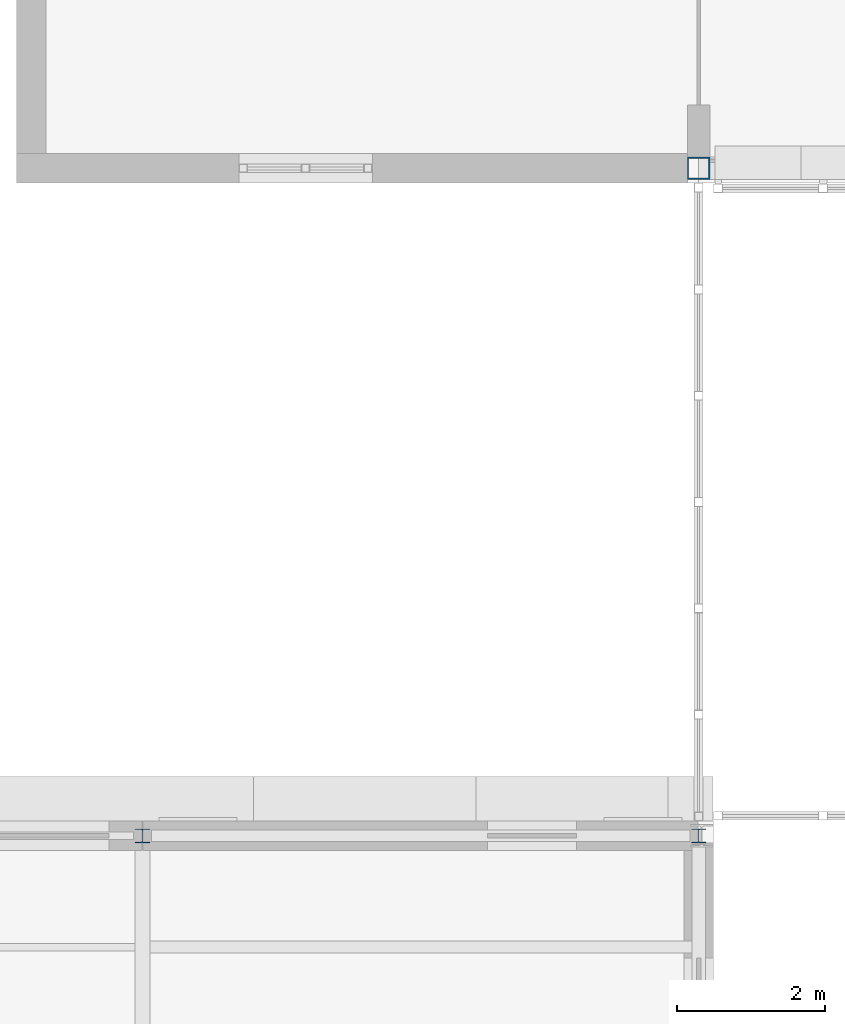
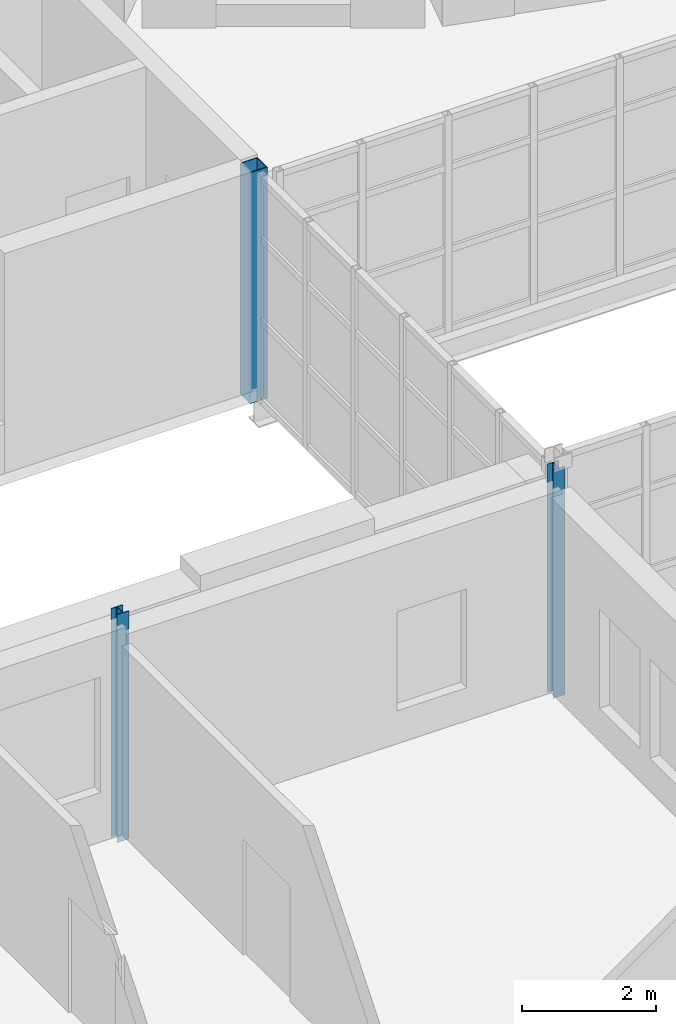
# One storey, part 14 of 154: 3 columns.
"""IFC4 building model written with IfcOpenShell, lengths in metres."""

import ifcopenshell
import ifcopenshell.guid

model = None  # the IFC model being written
_history = None  # IfcOwnerHistory: only IFC2X3 demands one
_inside = {}  # id of a spatial element -> (the spatial element, [elements in it])
_under = {}  # id of a project, library or spatial element -> (it, [spatial elements below it])
_declared = {}  # id of a project -> (the project, [libraries it declares])
_typed = {}  # id of a type object -> (the type object, [elements of that type])
_made_of = {}  # id of a material, layer set ... -> (it, [elements and type objects made of it])


def new_model(schema):
    """Start an empty IFC model of exactly this schema.

    Asked for "IFC4X3", IfcOpenShell would pick the latest addendum, in which some entities
    have other attributes; the version numbers below select the first issue.
    IFC2X3 requires an IfcOwnerHistory on every rooted entity: one is made here for all.
    """
    global model, _history
    if schema == "IFC4X3":
        model = ifcopenshell.file(schema_version=(4, 3, 0, 0))
    else:
        model = ifcopenshell.file(schema=schema)
    _inside.clear()
    _under.clear()
    _declared.clear()
    _typed.clear()
    _made_of.clear()
    _history = None
    if model.schema == "IFC2X3":
        org = make("IfcOrganization", Name="unknown")
        user = make(
            "IfcPersonAndOrganization",
            ThePerson=make("IfcPerson", FamilyName="unknown"),
            TheOrganization=org,
        )
        app = make(
            "IfcApplication",
            ApplicationDeveloper=org,
            Version="unknown",
            ApplicationFullName="unknown",
            ApplicationIdentifier="unknown",
        )
        _history = make(
            "IfcOwnerHistory",
            OwningUser=user,
            OwningApplication=app,
            ChangeAction="ADDED",
            CreationDate=0,
        )
    return model


def make(cls, **values):
    """One entity of the class cls with the attributes given. An attribute that is None is left unset."""
    return model.create_entity(
        cls, **{name: value for name, value in values.items() if value is not None}
    )


def rooted(cls, **values):
    """An entity with a GlobalId (a new one), such as an element, a storey or a relation."""
    return make(cls, GlobalId=ifcopenshell.guid.new(), OwnerHistory=_history, **values)


def si_unit(unit_type, name, prefix=None):
    """IfcSIUnit, for example si_unit("LENGTHUNIT", "METRE", prefix="MILLI")."""
    return make("IfcSIUnit", UnitType=unit_type, Prefix=prefix, Name=name)


def assignment(units):
    """IfcUnitAssignment: the units of a project."""
    return None if units is None else make("IfcUnitAssignment", Units=units)


def point(xyz):
    """IfcCartesianPoint."""
    return None if xyz is None else make("IfcCartesianPoint", Coordinates=xyz)


def direction(xyz):
    """IfcDirection."""
    return None if xyz is None else make("IfcDirection", DirectionRatios=xyz)


def frame(location, z_axis=None, x_axis=None):
    """IfcAxis2Placement3D, a coordinate frame: its origin and axes. An axis left out is left unset."""
    return make(
        "IfcAxis2Placement3D",
        Location=point(location),
        Axis=direction(z_axis),
        RefDirection=direction(x_axis),
    )


def frame_2d(location, x_axis=None):
    """IfcAxis2Placement2D, a coordinate frame in the plane: its origin and x axis."""
    return make(
        "IfcAxis2Placement2D", Location=point(location), RefDirection=direction(x_axis)
    )


def origin():
    """The frame at (0, 0, 0) with its axes left unset."""
    return frame((0.0, 0.0, 0.0))


def origin_2d():
    """The frame at (0, 0) in the plane with its x axis left unset."""
    return frame_2d((0.0, 0.0))


def place(relative_to, where):
    """IfcLocalPlacement: puts the frame where relative to a parent placement (None: the world)."""
    return make(
        "IfcLocalPlacement", PlacementRelTo=relative_to, RelativePlacement=where
    )


def context(
    kind, dimensions, precision=None, world=None, true_north=None, identifier=None
):
    """IfcGeometricRepresentationContext, for example the 3D "Model" context."""
    return make(
        "IfcGeometricRepresentationContext",
        ContextIdentifier=identifier,
        ContextType=kind,
        CoordinateSpaceDimension=dimensions,
        Precision=precision,
        WorldCoordinateSystem=world,
        TrueNorth=true_north,
    )


def subcontext(parent, identifier, kind, view, scale=None):
    """IfcGeometricRepresentationSubContext, for example "Body" below "Model"."""
    return make(
        "IfcGeometricRepresentationSubContext",
        ContextIdentifier=identifier,
        ContextType=kind,
        ParentContext=parent,
        TargetScale=scale,
        TargetView=view,
    )


def project(units=None, contexts=None):
    """IfcProject with its units and contexts."""
    return rooted(
        "IfcProject",
        Name="project",
        RepresentationContexts=contexts,
        UnitsInContext=assignment(units),
    )


def spatial(cls, under=None, at=None, **own):
    """A site, building, storey or space (cls), placed at a placement, below another one or the project."""
    s = rooted(cls, ObjectPlacement=at, **own)
    if under is not None:
        _under.setdefault(under.id(), (under, []))[1].append(s)
    return s


def profile(cls, at=None, kind="AREA", **sizes):
    """A parametric profile (cls). Its sizes go by their IFC names, for example OverallWidth=200.0."""
    return make(cls, ProfileType=kind, Position=at, **sizes)


def hollow_rectangle(**sizes):
    """IfcRectangleHollowProfileDef."""
    return profile("IfcRectangleHollowProfileDef", **sizes)


def i_section(**sizes):
    """IfcIShapeProfileDef."""
    return profile("IfcIShapeProfileDef", **sizes)


def extrude(swept, where, along, depth):
    """IfcExtrudedAreaSolid: the profile swept, set in the frame where, extruded along a direction by depth."""
    return make(
        "IfcExtrudedAreaSolid",
        SweptArea=swept,
        Position=where,
        ExtrudedDirection=direction(along),
        Depth=depth,
    )


def shape(context_of_items, identifier, shape_type, items):
    """IfcShapeRepresentation: the items that make up one representation, for example the "Body"."""
    return make(
        "IfcShapeRepresentation",
        ContextOfItems=context_of_items,
        RepresentationIdentifier=identifier,
        RepresentationType=shape_type,
        Items=items,
    )


def material(Name=None, Category=None):
    """IfcMaterial."""
    return make("IfcMaterial", Name=Name, Category=Category)


def material_profile(
    of_material, cross_section, Name=None, Category=None, Priority=None
):
    """IfcMaterialProfile: a cross section and its material."""
    return make(
        "IfcMaterialProfile",
        Name=Name,
        Material=of_material,
        Profile=cross_section,
        Priority=Priority,
        Category=Category,
    )


def profile_set(profiles, Name=None, composite=None):
    """IfcMaterialProfileSet."""
    return make(
        "IfcMaterialProfileSet",
        Name=Name,
        MaterialProfiles=profiles,
        CompositeProfile=composite,
    )


def made_of(thing, what):
    """Note that an element or type object is made of a material, layer set ...; save() writes the relation."""
    if what is not None:
        _made_of.setdefault(what.id(), (what, []))[1].append(thing)
    return thing


def type_object(cls, material=None, **own):
    """A type object (cls), such as IfcWallType, which elements share."""
    return made_of(rooted(cls, **own), material)


def element(
    cls,
    number,
    at=None,
    inside=None,
    cuts=None,
    type_object=None,
    material=None,
    context=None,
    identifier="Body",
    shape_type=None,
    held_by="IfcProductDefinitionShape",
    body=None,
    shapes=None,
    **own,
):
    """One element of the class cls, such as IfcWall. Its Tag is "e" and its number.

    at: its placement. inside: the storey or other place that contains it. cuts: it is an
    opening in that element (IfcRelVoidsElement). A single representation is given by context,
    identifier, shape_type and body (its items); several are given by shapes. held_by: the class
    of the entity that holds the representations. save() writes the other relations.
    """
    e = rooted(cls, Tag="e%d" % number, ObjectPlacement=at, **own)
    if body is not None:
        shapes = [shape(context, identifier, shape_type, body)]
    if shapes is not None:
        e.Representation = make(held_by, Representations=shapes)
    if inside is not None:
        _inside.setdefault(inside.id(), (inside, []))[1].append(e)
    if cuts is not None:
        rooted(
            "IfcRelVoidsElement", RelatingBuildingElement=cuts, RelatedOpeningElement=e
        )
    if type_object is not None:
        _typed.setdefault(type_object.id(), (type_object, []))[1].append(e)
    return made_of(e, material)


def aggregate(whole, parts):
    """IfcRelAggregates: a whole, such as a stair, and the parts it consists of."""
    return rooted("IfcRelAggregates", RelatingObject=whole, RelatedObjects=parts)


def save(model, path):
    """Write the relations noted so far, then the file.

    IfcRelAggregates (storeys below a building ...), IfcRelContainedInSpatialStructure (elements
    in a storey), IfcRelDefinesByType, IfcRelAssociatesMaterial and IfcRelDeclares: one each for
    every whole, place, type object, material and project.
    """
    for whole, parts in _under.values():
        aggregate(whole, parts)
    for where, things in _inside.values():
        rooted(
            "IfcRelContainedInSpatialStructure",
            RelatedElements=things,
            RelatingStructure=where,
        )
    for kind, things in _typed.values():
        rooted("IfcRelDefinesByType", RelatedObjects=things, RelatingType=kind)
    for what, things in _made_of.values():
        rooted("IfcRelAssociatesMaterial", RelatedObjects=things, RelatingMaterial=what)
    for by, libraries in _declared.values():
        rooted("IfcRelDeclares", RelatingContext=by, RelatedDefinitions=libraries)
    model.write(path)


model = new_model("IFC4")

# Units and contexts
model_context = context("Model", 3, precision=1e-05, world=origin(), true_north=direction((0.0, 1.0)))
body_context = subcontext(model_context, "Body", "Model", "MODEL_VIEW")
ifc_project = project(units=[si_unit("LENGTHUNIT", "METRE"), si_unit("AREAUNIT", "SQUARE_METRE"), si_unit("VOLUMEUNIT", "CUBIC_METRE"), si_unit("PLANEANGLEUNIT", "RADIAN"), si_unit("MASSUNIT", "GRAM", prefix="KILO")], contexts=[model_context])

# Site, building, storey
site_placement = place(None, origin())
site = spatial("IfcSite", under=ifc_project, at=site_placement, CompositionType="ELEMENT")
building_placement = place(site_placement, origin())
building = spatial("IfcBuilding", under=site, at=building_placement, Name="Golden Quay Civic Hall", CompositionType="ELEMENT")
storey_placement = place(building_placement, frame((0.0, 0.0, 14.39990234375)))
storey = spatial("IfcBuildingStorey", under=building, at=storey_placement, Name="L03", CompositionType="ELEMENT", Elevation=14.39990234375)

# Columns
ifc_material_1 = material(Name="Steel S355", Category="steel")
ifc_material_profile_1 = material_profile(ifc_material_1, i_section(OverallWidth=0.199951171875, OverallDepth=0.18994140625, WebThickness=0.006591796875, FlangeThickness=0.010009765625, FilletRadius=0.01806640625, at=origin_2d()), Name="HEA 200")
ifc_profile_set_1 = profile_set([ifc_material_profile_1], Name="Steel S355")
column_type_1 = type_object("IfcColumnType", Name="Steel column HEA 200", PredefinedType="COLUMN", material=ifc_profile_set_1)
for number, where, z_axis, x_axis, name in (
    (1, (64.5, 54.0, -0.199951171875), (0.0, 0.0, 1.0), (1.0, 0.0, 0.0), "Column 64.5/54 L03"),
    (2, (72.0, 54.0, -0.199951171875), (0.0, 0.0, 1.0), (1.0, 0.0, 0.0), "Column 72/54 L03"),
):
    element("IfcColumn", number, at=place(storey_placement, frame(where, z_axis=z_axis, x_axis=x_axis)), inside=storey, type_object=column_type_1, Name=name, PredefinedType="COLUMN", context=body_context, shape_type="SweptSolid", body=[
        extrude(i_section(OverallWidth=0.199951171875, OverallDepth=0.18994140625, WebThickness=0.006591796875, FlangeThickness=0.010009765625, FilletRadius=0.01806640625, at=origin_2d()), origin(), (0.0, 0.0, 1.0), 4.150146484375),
    ])
ifc_material_2 = material(Name="Steel S355", Category="steel")
ifc_material_profile_2 = material_profile(ifc_material_2, hollow_rectangle(XDim=0.300048828125, YDim=0.300048828125, WallThickness=0.01611328125, at=origin_2d()), Name="SHS 300x300x16")
ifc_profile_set_2 = profile_set([ifc_material_profile_2], Name="Steel S355")
column_type_2 = type_object("IfcColumnType", Name="Steel column SHS 300x300x16", PredefinedType="COLUMN", material=ifc_profile_set_2)
column_placement = place(storey_placement, frame((72.0, 63.0, -0.25), z_axis=(0.0, 0.0, 1.0), x_axis=(1.0, 0.0, 0.0)))
element("IfcColumn", 3, at=column_placement, inside=storey, type_object=column_type_2, Name="Column west foyer gable", PredefinedType="COLUMN", context=body_context, shape_type="SweptSolid", body=[
    extrude(hollow_rectangle(XDim=0.300048828125, YDim=0.300048828125, WallThickness=0.01611328125, at=origin_2d()), origin(), (0.0, 0.0, 1.0), 4.2001953125),
])

save(model, "model.ifc")
